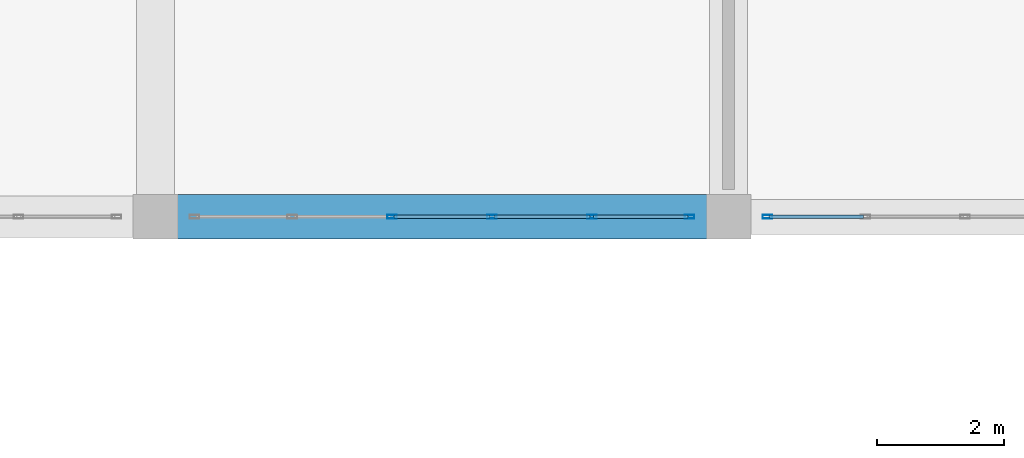
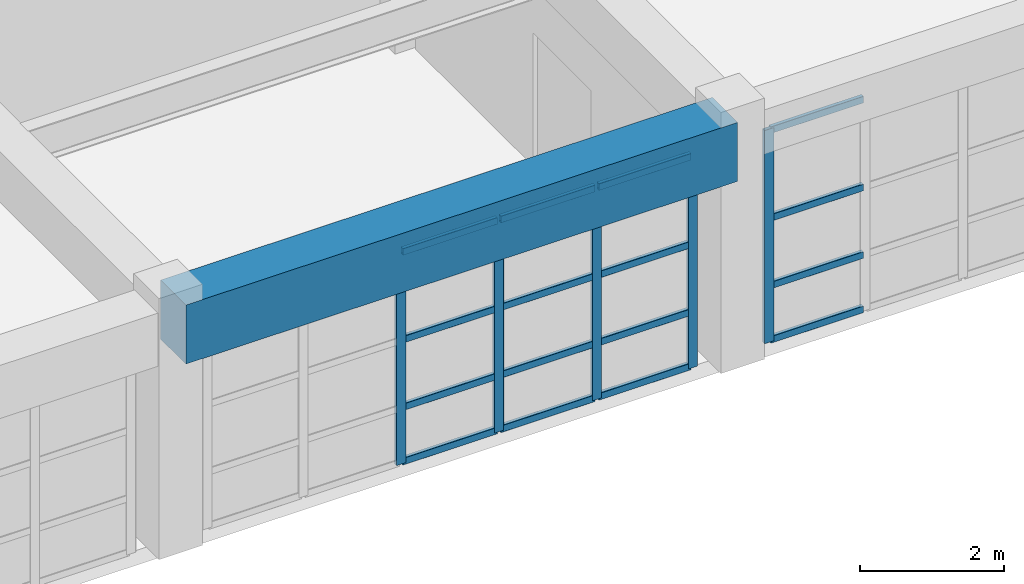
# One storey, part 36 of 133: 21 members, 1 beam, 2 elements without a shape of their own.
"""IFC4 building model written with IfcOpenShell, lengths in metres."""

from ifc_helpers import new_model, si_unit, direction, frame, origin, origin_2d, place, context, subcontext, project, spatial, rectangle, hollow_rectangle, extrude, material, material_profile, profile_set, type_object, element, aggregate, save


model = new_model("IFC4")

# Units and contexts
model_context = context("Model", 3, precision=1e-05, world=origin(), true_north=direction((0.0, 1.0)))
body_context = subcontext(model_context, "Body", "Model", "MODEL_VIEW")
ifc_project = project(units=[si_unit("LENGTHUNIT", "METRE"), si_unit("AREAUNIT", "SQUARE_METRE"), si_unit("VOLUMEUNIT", "CUBIC_METRE"), si_unit("PLANEANGLEUNIT", "RADIAN"), si_unit("MASSUNIT", "GRAM", prefix="KILO")], contexts=[model_context])

# Site, building, storey
site_placement = place(None, origin())
site = spatial("IfcSite", under=ifc_project, at=site_placement, CompositionType="ELEMENT")
building_placement = place(site_placement, origin())
building = spatial("IfcBuilding", under=site, at=building_placement, Name="Miravela Opera House", CompositionType="ELEMENT")
storey_placement = place(building_placement, frame((0.0, 0.0, 5.10009765625)))
storey = spatial("IfcBuildingStorey", under=building, at=storey_placement, Name="L01", CompositionType="ELEMENT", Elevation=5.10009765625)

# Curtain wall, members
ifc_material_1 = material(Name="Anodised architectural bronze aluminium 6063-T6", Category="aluminium")
curtain_wall_type = type_object("IfcCurtainWallType", Name="ARC-CW-06", PredefinedType="NOTDEFINED", material=ifc_material_1)
curtain_wall_1_placement = place(storey_placement, origin())
curtain_wall_1 = element("IfcCurtainWall", 1, at=curtain_wall_1_placement, inside=storey, type_object=curtain_wall_type, Name="Courtyard Arcade Curtain Wall CW-L01-128", PredefinedType="NOTDEFINED")
ifc_material_profile_1 = material_profile(ifc_material_1, hollow_rectangle(XDim=0.06005859375, YDim=0.14990234375, WallThickness=0.00390625, InnerFilletRadius=0.001953125, OuterFilletRadius=0.00390625, at=origin_2d()), Name="CWM-60X150")
ifc_profile_set_1 = profile_set([ifc_material_profile_1])
member_type_1 = type_object("IfcMemberType", Name="ARC-CWM-150", PredefinedType="MULLION", material=ifc_profile_set_1)
member_1_placement = place(storey_placement, frame((48.716064453125, 28.0, 0.0), z_axis=(0.0, 0.0, 1.0), x_axis=(0.0, 1.0, 0.0)))
member_1 = element("IfcMember", 2, at=member_1_placement, type_object=member_type_1, Name="CW-06 mullion 3", PredefinedType="MULLION", context=body_context, shape_type="SweptSolid", body=[
    extrude(hollow_rectangle(XDim=0.06005859375, YDim=0.14990234375, WallThickness=0.00390625, InnerFilletRadius=0.001953125, OuterFilletRadius=0.00390625, at=origin_2d()), origin(), (0.0, 0.0, 1.0), 3.60986328125),
])
member_2_placement = place(storey_placement, frame((50.283935546875, 28.0, 0.0), z_axis=(0.0, 0.0, 1.0), x_axis=(0.0, 1.0, 0.0)))
member_2 = element("IfcMember", 3, at=member_2_placement, type_object=member_type_1, Name="CW-06 mullion 4", PredefinedType="MULLION", context=body_context, shape_type="SweptSolid", body=[
    extrude(hollow_rectangle(XDim=0.06005859375, YDim=0.14990234375, WallThickness=0.00390625, InnerFilletRadius=0.001953125, OuterFilletRadius=0.00390625, at=origin_2d()), origin(), (0.0, 0.0, 1.0), 3.60986328125),
])
member_3_placement = place(storey_placement, frame((51.85205078125, 28.0, 0.0), z_axis=(0.0, 0.0, 1.0), x_axis=(0.0, 1.0, 0.0)))
member_3 = element("IfcMember", 4, at=member_3_placement, type_object=member_type_1, Name="CW-06 mullion 5", PredefinedType="MULLION", context=body_context, shape_type="SweptSolid", body=[
    extrude(hollow_rectangle(XDim=0.06005859375, YDim=0.14990234375, WallThickness=0.00390625, InnerFilletRadius=0.001953125, OuterFilletRadius=0.00390625, at=origin_2d()), origin(), (0.0, 0.0, 1.0), 3.60986328125),
])
member_4_placement = place(storey_placement, frame((53.389892578125, 28.0, 0.0), z_axis=(0.0, 0.0, 1.0), x_axis=(0.0, 1.0, 0.0)))
member_4 = element("IfcMember", 5, at=member_4_placement, type_object=member_type_1, Name="CW-06 mullion 6", PredefinedType="MULLION", context=body_context, shape_type="SweptSolid", body=[
    extrude(hollow_rectangle(XDim=0.06005859375, YDim=0.14990234375, WallThickness=0.00390625, InnerFilletRadius=0.001953125, OuterFilletRadius=0.00390625, at=origin_2d()), origin(), (0.0, 0.0, 1.0), 3.60986328125),
])

# Curtain wall, member
curtain_wall_2_placement = place(storey_placement, origin())
curtain_wall_2 = element("IfcCurtainWall", 6, at=curtain_wall_2_placement, inside=storey, type_object=curtain_wall_type, Name="Courtyard Arcade Curtain Wall CW-L01-130", PredefinedType="NOTDEFINED")
member_5_placement = place(storey_placement, frame((54.610107421875, 28.0, 0.0), z_axis=(0.0, 0.0, 1.0), x_axis=(0.0, 1.0, 0.0)))
member_5 = element("IfcMember", 7, at=member_5_placement, type_object=member_type_1, Name="CW-06 mullion 1", PredefinedType="MULLION", context=body_context, shape_type="SweptSolid", body=[
    extrude(hollow_rectangle(XDim=0.06005859375, YDim=0.14990234375, WallThickness=0.00390625, InnerFilletRadius=0.001953125, OuterFilletRadius=0.00390625, at=origin_2d()), origin(), (0.0, 0.0, 1.0), 3.60986328125),
])

# Member
ifc_material_profile_2 = material_profile(ifc_material_1, hollow_rectangle(XDim=0.06005859375, YDim=0.114990234375, WallThickness=0.00390625, InnerFilletRadius=0.001953125, OuterFilletRadius=0.00390625, at=origin_2d()), Name="CWT-60X115")
ifc_profile_set_2 = profile_set([ifc_material_profile_2])
member_type_2 = type_object("IfcMemberType", Name="ARC-CWT-115", PredefinedType="USERDEFINED", material=ifc_profile_set_2)
member_6_placement = place(storey_placement, frame((48.74609375, 28.0, 0.02978515625), z_axis=(1.0, 0.0, 0.0), x_axis=(0.0, 1.0, 0.0)))
member_6 = element("IfcMember", 8, at=member_6_placement, type_object=member_type_2, Name="CW-06 transom 3.1", ObjectType="TRANSOM", PredefinedType="USERDEFINED", context=body_context, shape_type="SweptSolid", body=[
    extrude(hollow_rectangle(XDim=0.06005859375, YDim=0.114990234375, WallThickness=0.00390625, InnerFilletRadius=0.001953125, OuterFilletRadius=0.00390625, at=origin_2d()), origin(), (0.0, 0.0, 1.0), 1.5078125),
])

member_7_placement = place(storey_placement, frame((48.74609375, 28.0, 0.949951171875), z_axis=(1.0, 0.0, 0.0), x_axis=(0.0, 1.0, 0.0)))
member_7 = element("IfcMember", 9, at=member_7_placement, type_object=member_type_2, Name="CW-06 transom 3.2", ObjectType="TRANSOM", PredefinedType="USERDEFINED", context=body_context, shape_type="SweptSolid", body=[
    extrude(hollow_rectangle(XDim=0.06005859375, YDim=0.114990234375, WallThickness=0.00390625, InnerFilletRadius=0.001953125, OuterFilletRadius=0.00390625, at=origin_2d()), origin(), (0.0, 0.0, 1.0), 1.5078125),
])

member_8_placement = place(storey_placement, frame((48.74609375, 28.0, 2.09375), z_axis=(1.0, 0.0, 0.0), x_axis=(0.0, 1.0, 0.0)))
member_8 = element("IfcMember", 10, at=member_8_placement, type_object=member_type_2, Name="CW-06 transom 3.3", ObjectType="TRANSOM", PredefinedType="USERDEFINED", context=body_context, shape_type="SweptSolid", body=[
    extrude(hollow_rectangle(XDim=0.06005859375, YDim=0.114990234375, WallThickness=0.00390625, InnerFilletRadius=0.001953125, OuterFilletRadius=0.00390625, at=origin_2d()), origin(), (0.0, 0.0, 1.0), 1.5078125),
])

member_9_placement = place(storey_placement, frame((48.74609375, 28.0, 3.579833984375), z_axis=(1.0, 0.0, 0.0), x_axis=(0.0, 1.0, 0.0)))
member_9 = element("IfcMember", 11, at=member_9_placement, type_object=member_type_2, Name="CW-06 transom 3.4", ObjectType="TRANSOM", PredefinedType="USERDEFINED", context=body_context, shape_type="SweptSolid", body=[
    extrude(hollow_rectangle(XDim=0.06005859375, YDim=0.114990234375, WallThickness=0.00390625, InnerFilletRadius=0.001953125, OuterFilletRadius=0.00390625, at=origin_2d()), origin(), (0.0, 0.0, 1.0), 1.5078125),
])

member_10_placement = place(storey_placement, frame((50.31396484375, 28.0, 0.02978515625), z_axis=(1.0, 0.0, 0.0), x_axis=(0.0, 1.0, 0.0)))
member_10 = element("IfcMember", 12, at=member_10_placement, type_object=member_type_2, Name="CW-06 transom 4.1", ObjectType="TRANSOM", PredefinedType="USERDEFINED", context=body_context, shape_type="SweptSolid", body=[
    extrude(hollow_rectangle(XDim=0.06005859375, YDim=0.114990234375, WallThickness=0.00390625, InnerFilletRadius=0.001953125, OuterFilletRadius=0.00390625, at=origin_2d()), origin(), (0.0, 0.0, 1.0), 1.508056640625),
])

member_11_placement = place(storey_placement, frame((50.31396484375, 28.0, 0.949951171875), z_axis=(1.0, 0.0, 0.0), x_axis=(0.0, 1.0, 0.0)))
member_11 = element("IfcMember", 13, at=member_11_placement, type_object=member_type_2, Name="CW-06 transom 4.2", ObjectType="TRANSOM", PredefinedType="USERDEFINED", context=body_context, shape_type="SweptSolid", body=[
    extrude(hollow_rectangle(XDim=0.06005859375, YDim=0.114990234375, WallThickness=0.00390625, InnerFilletRadius=0.001953125, OuterFilletRadius=0.00390625, at=origin_2d()), origin(), (0.0, 0.0, 1.0), 1.508056640625),
])

member_12_placement = place(storey_placement, frame((50.31396484375, 28.0, 2.09375), z_axis=(1.0, 0.0, 0.0), x_axis=(0.0, 1.0, 0.0)))
member_12 = element("IfcMember", 14, at=member_12_placement, type_object=member_type_2, Name="CW-06 transom 4.3", ObjectType="TRANSOM", PredefinedType="USERDEFINED", context=body_context, shape_type="SweptSolid", body=[
    extrude(hollow_rectangle(XDim=0.06005859375, YDim=0.114990234375, WallThickness=0.00390625, InnerFilletRadius=0.001953125, OuterFilletRadius=0.00390625, at=origin_2d()), origin(), (0.0, 0.0, 1.0), 1.508056640625),
])

member_13_placement = place(storey_placement, frame((50.31396484375, 28.0, 3.579833984375), z_axis=(1.0, 0.0, 0.0), x_axis=(0.0, 1.0, 0.0)))
member_13 = element("IfcMember", 15, at=member_13_placement, type_object=member_type_2, Name="CW-06 transom 4.4", ObjectType="TRANSOM", PredefinedType="USERDEFINED", context=body_context, shape_type="SweptSolid", body=[
    extrude(hollow_rectangle(XDim=0.06005859375, YDim=0.114990234375, WallThickness=0.00390625, InnerFilletRadius=0.001953125, OuterFilletRadius=0.00390625, at=origin_2d()), origin(), (0.0, 0.0, 1.0), 1.508056640625),
])

member_14_placement = place(storey_placement, frame((51.882080078125, 28.0, 0.02978515625), z_axis=(1.0, 0.0, 0.0), x_axis=(0.0, 1.0, 0.0)))
member_14 = element("IfcMember", 16, at=member_14_placement, type_object=member_type_2, Name="CW-06 transom 5.1", ObjectType="TRANSOM", PredefinedType="USERDEFINED", context=body_context, shape_type="SweptSolid", body=[
    extrude(hollow_rectangle(XDim=0.06005859375, YDim=0.114990234375, WallThickness=0.00390625, InnerFilletRadius=0.001953125, OuterFilletRadius=0.00390625, at=origin_2d()), origin(), (0.0, 0.0, 1.0), 1.47802734375),
])

member_15_placement = place(storey_placement, frame((51.882080078125, 28.0, 0.949951171875), z_axis=(1.0, 0.0, 0.0), x_axis=(0.0, 1.0, 0.0)))
member_15 = element("IfcMember", 17, at=member_15_placement, type_object=member_type_2, Name="CW-06 transom 5.2", ObjectType="TRANSOM", PredefinedType="USERDEFINED", context=body_context, shape_type="SweptSolid", body=[
    extrude(hollow_rectangle(XDim=0.06005859375, YDim=0.114990234375, WallThickness=0.00390625, InnerFilletRadius=0.001953125, OuterFilletRadius=0.00390625, at=origin_2d()), origin(), (0.0, 0.0, 1.0), 1.47802734375),
])

member_16_placement = place(storey_placement, frame((51.882080078125, 28.0, 2.09375), z_axis=(1.0, 0.0, 0.0), x_axis=(0.0, 1.0, 0.0)))
member_16 = element("IfcMember", 18, at=member_16_placement, type_object=member_type_2, Name="CW-06 transom 5.3", ObjectType="TRANSOM", PredefinedType="USERDEFINED", context=body_context, shape_type="SweptSolid", body=[
    extrude(hollow_rectangle(XDim=0.06005859375, YDim=0.114990234375, WallThickness=0.00390625, InnerFilletRadius=0.001953125, OuterFilletRadius=0.00390625, at=origin_2d()), origin(), (0.0, 0.0, 1.0), 1.47802734375),
])

member_17_placement = place(storey_placement, frame((51.882080078125, 28.0, 3.579833984375), z_axis=(1.0, 0.0, 0.0), x_axis=(0.0, 1.0, 0.0)))
member_17 = element("IfcMember", 19, at=member_17_placement, type_object=member_type_2, Name="CW-06 transom 5.4", ObjectType="TRANSOM", PredefinedType="USERDEFINED", context=body_context, shape_type="SweptSolid", body=[
    extrude(hollow_rectangle(XDim=0.06005859375, YDim=0.114990234375, WallThickness=0.00390625, InnerFilletRadius=0.001953125, OuterFilletRadius=0.00390625, at=origin_2d()), origin(), (0.0, 0.0, 1.0), 1.47802734375),
])

aggregate(curtain_wall_1, [member_1, member_2, member_3, member_4, member_6, member_7, member_8, member_9, member_10, member_11, member_12, member_13, member_14, member_15, member_16, member_17])

member_18_placement = place(storey_placement, frame((54.639892578125, 28.0, 0.02978515625), z_axis=(1.0, 0.0, 0.0), x_axis=(0.0, 1.0, 0.0)))
member_18 = element("IfcMember", 20, at=member_18_placement, type_object=member_type_2, Name="CW-06 transom 1.1", ObjectType="TRANSOM", PredefinedType="USERDEFINED", context=body_context, shape_type="SweptSolid", body=[
    extrude(hollow_rectangle(XDim=0.06005859375, YDim=0.114990234375, WallThickness=0.00390625, InnerFilletRadius=0.001953125, OuterFilletRadius=0.00390625, at=origin_2d()), origin(), (0.0, 0.0, 1.0), 1.47802734375),
])

member_19_placement = place(storey_placement, frame((54.639892578125, 28.0, 0.949951171875), z_axis=(1.0, 0.0, 0.0), x_axis=(0.0, 1.0, 0.0)))
member_19 = element("IfcMember", 21, at=member_19_placement, type_object=member_type_2, Name="CW-06 transom 1.2", ObjectType="TRANSOM", PredefinedType="USERDEFINED", context=body_context, shape_type="SweptSolid", body=[
    extrude(hollow_rectangle(XDim=0.06005859375, YDim=0.114990234375, WallThickness=0.00390625, InnerFilletRadius=0.001953125, OuterFilletRadius=0.00390625, at=origin_2d()), origin(), (0.0, 0.0, 1.0), 1.47802734375),
])

member_20_placement = place(storey_placement, frame((54.639892578125, 28.0, 2.09375), z_axis=(1.0, 0.0, 0.0), x_axis=(0.0, 1.0, 0.0)))
member_20 = element("IfcMember", 22, at=member_20_placement, type_object=member_type_2, Name="CW-06 transom 1.3", ObjectType="TRANSOM", PredefinedType="USERDEFINED", context=body_context, shape_type="SweptSolid", body=[
    extrude(hollow_rectangle(XDim=0.06005859375, YDim=0.114990234375, WallThickness=0.00390625, InnerFilletRadius=0.001953125, OuterFilletRadius=0.00390625, at=origin_2d()), origin(), (0.0, 0.0, 1.0), 1.47802734375),
])

member_21_placement = place(storey_placement, frame((54.639892578125, 28.0, 3.579833984375), z_axis=(1.0, 0.0, 0.0), x_axis=(0.0, 1.0, 0.0)))
member_21 = element("IfcMember", 23, at=member_21_placement, type_object=member_type_2, Name="CW-06 transom 1.4", ObjectType="TRANSOM", PredefinedType="USERDEFINED", context=body_context, shape_type="SweptSolid", body=[
    extrude(hollow_rectangle(XDim=0.06005859375, YDim=0.114990234375, WallThickness=0.00390625, InnerFilletRadius=0.001953125, OuterFilletRadius=0.00390625, at=origin_2d()), origin(), (0.0, 0.0, 1.0), 1.47802734375),
])

aggregate(curtain_wall_2, [member_5, member_18, member_19, member_20, member_21])

# Beam
ifc_material_2 = material(Name="Concrete C40/50", Category="concrete")
ifc_material_profile_3 = material_profile(ifc_material_2, rectangle(XDim=0.699951171875, YDim=1.0, at=origin_2d()), Name="RC-BM-700X1000")
ifc_profile_set_3 = profile_set([ifc_material_profile_3])
beam_type = type_object("IfcBeamType", Name="STR-BM-RC700X1000", PredefinedType="BEAM", material=ifc_profile_set_3)
beam_placement = place(storey_placement, frame((45.080078125, 28.0, 3.659912109375), z_axis=(1.0, 0.0, 0.0), x_axis=(0.0, 1.0, 0.0)))
element("IfcBeam", 24, at=beam_placement, inside=storey, type_object=beam_type, Name="Floor Girder L01 6-7/D", PredefinedType="BEAM", context=body_context, shape_type="SweptSolid", body=[
    extrude(rectangle(XDim=0.699951171875, YDim=1.0, at=origin_2d()), origin(), (0.0, 0.0, 1.0), 8.83984375),
])

save(model, "model.ifc")
